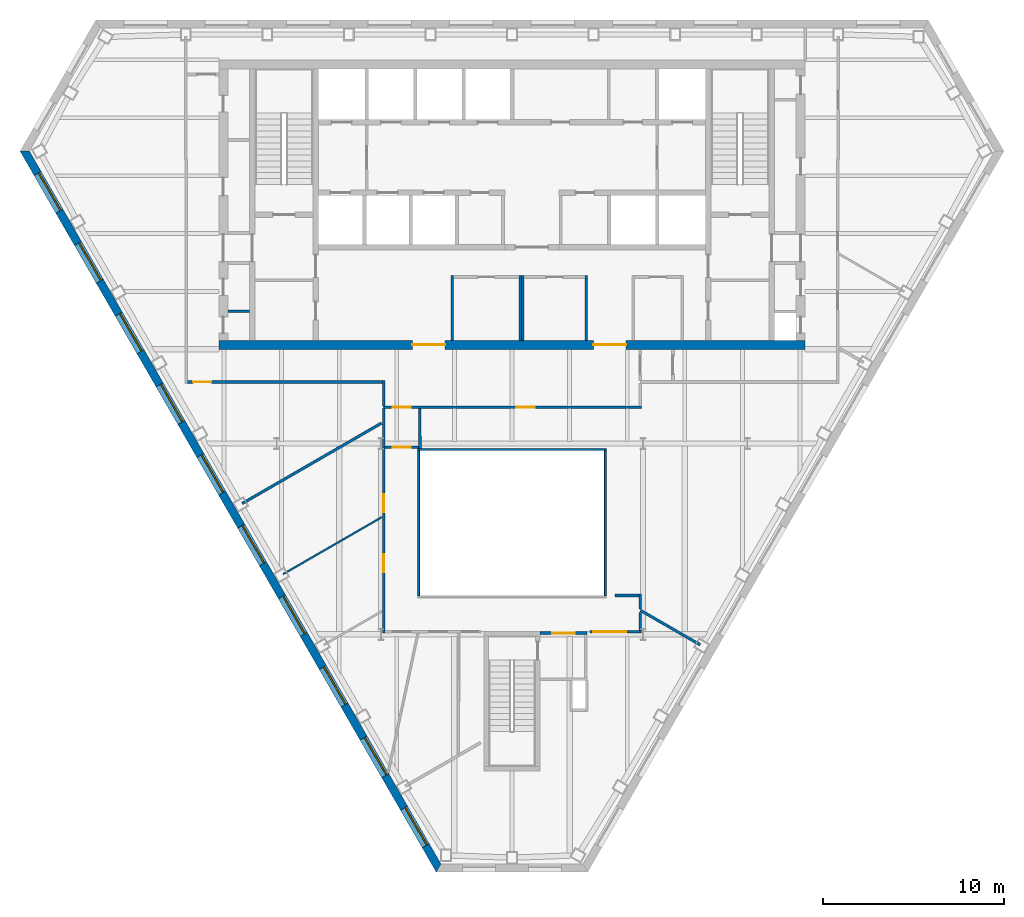
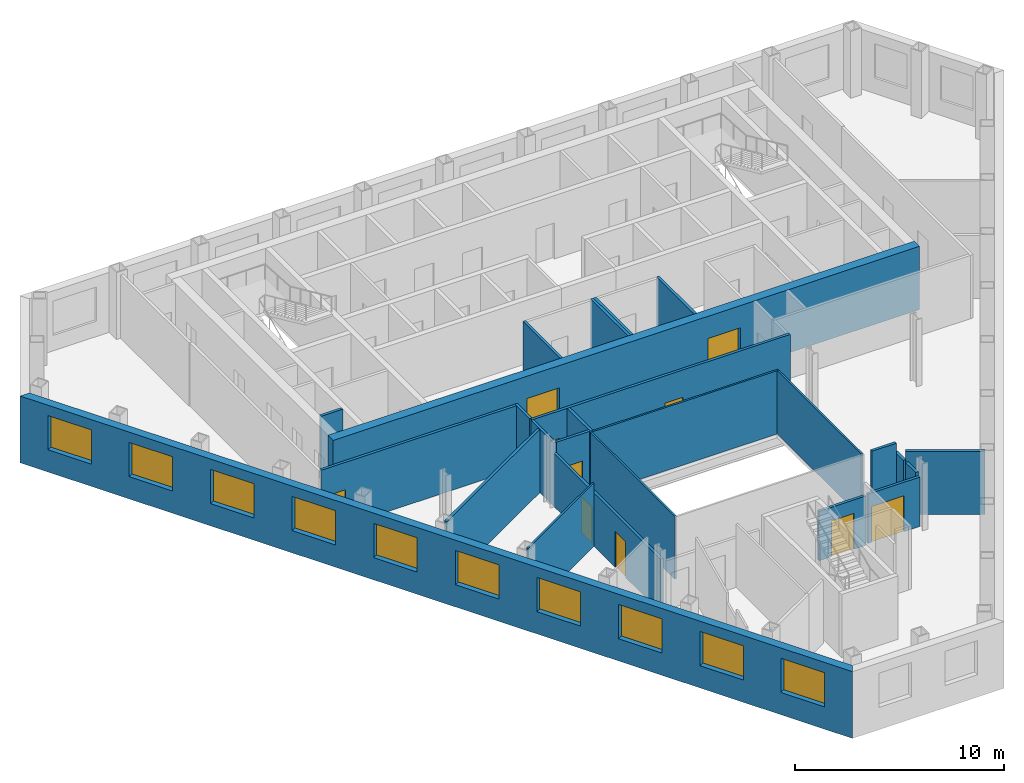
# One storey, part 4 of 10: 25 walls, 10 doors, 10 windows, 20 openings.
"""IFC4 building model written with IfcOpenShell, lengths in metres."""

from ifc_helpers import new_model, si_unit, direction, frame, frame_2d, origin, place, context, subcontext, project, spatial, polyline, rectangle, outline, extrude, material, layer, layer_set, type_object, element, fill, save


model = new_model("IFC4")

# Units and contexts
model_context = context("Model", 3, precision=1e-05, world=origin(), true_north=direction((0.0, 1.0)))
body_context = subcontext(model_context, "Body", "Model", "MODEL_VIEW")
ifc_project = project(units=[si_unit("LENGTHUNIT", "METRE"), si_unit("AREAUNIT", "SQUARE_METRE"), si_unit("VOLUMEUNIT", "CUBIC_METRE"), si_unit("PLANEANGLEUNIT", "RADIAN"), si_unit("MASSUNIT", "GRAM", prefix="KILO")], contexts=[model_context])

# Site, building, storey
site_placement = place(None, origin())
site = spatial("IfcSite", under=ifc_project, at=site_placement, CompositionType="ELEMENT")
building_placement = place(site_placement, origin())
building = spatial("IfcBuilding", under=site, at=building_placement, Name="Njiva Tower", CompositionType="ELEMENT")
storey_placement = place(building_placement, frame((0.0, 0.0, 167.1)))
storey = spatial("IfcBuildingStorey", under=building, at=storey_placement, Name="L36", CompositionType="ELEMENT", Elevation=167.1)

# Walls
ifc_material_1 = material(Name="Blockwork", Category="masonry")
ifc_layer_1 = layer(ifc_material_1, 0.15)
ifc_layer_set_1 = layer_set([ifc_layer_1], Name="Blockwork")
wall_type_1 = type_object("IfcWallType", Name="WT1 Compartment partition 150", PredefinedType="PARTITIONING", material=ifc_layer_set_1)
wall_1_placement = place(storey_placement, frame((-15.7, 4.107, 0.0), z_axis=(0.0, 0.0, 1.0), x_axis=(1.0, 0.0, 0.0)))
element("IfcWall", 1, at=wall_1_placement, inside=storey, type_object=wall_type_1, Name="Partition strip W00", PredefinedType="PARTITIONING", context=body_context, shape_type="SweptSolid", body=[
    extrude(rectangle(XDim=1.2, YDim=0.15, at=frame_2d((0.6, 0.0))), origin(), (0.0, 0.0, 1.0), 3.7),
])
for number, where, z_axis, x_axis, name in (
    (2, (-3.3, 2.5, 0.0), (0.0, 0.0, 1.0), (0.0, 1.0, 0.0), "First aid room wall west"),
    (3, (0.45, 2.5, 0.0), (0.0, 0.0, 1.0), (0.0, 1.0, 0.0), "First aid room wall east"),
    (4, (0.6, 2.5, 0.0), (0.0, 0.0, 1.0), (0.0, 1.0, 0.0), "Parcel room wall west"),
    (5, (4.1, 2.5, 0.0), (0.0, 0.0, 1.0), (0.0, 1.0, 0.0), "Parcel room wall east"),
):
    element("IfcWall", number, at=place(storey_placement, frame(where, z_axis=z_axis, x_axis=x_axis)), inside=storey, type_object=wall_type_1, Name=name, PredefinedType="PARTITIONING", context=body_context, shape_type="SweptSolid", body=[
        extrude(rectangle(XDim=3.575, YDim=0.15, at=frame_2d((1.7875, 0.0))), origin(), (0.0, 0.0, 1.0), 3.7),
    ])

# Wall, openings, doors
ifc_material_2 = material(Name="Concrete C60/75", Category="concrete")
ifc_layer_2 = layer(ifc_material_2, 0.5)
ifc_layer_set_2 = layer_set([ifc_layer_2], Name="Concrete C60/75")
wall_type_2 = type_object("IfcWallType", Name="WT13 Core wall 500", PredefinedType="SHEAR", material=ifc_layer_set_2)
wall_2_placement = place(storey_placement, frame((-16.2, 2.25, 0.0), z_axis=(0.0, 0.0, 1.0), x_axis=(1.0, 0.0, 0.0)))
wall_2 = element("IfcWall", 6, at=wall_2_placement, inside=storey, type_object=wall_type_2, Name="Core wall south", PredefinedType="SHEAR", context=body_context, shape_type="SweptSolid", body=[
    extrude(rectangle(XDim=32.4, YDim=0.5, at=frame_2d((16.2, 0.0))), origin(), (0.0, 0.0, 1.0), 3.7),
])
opening_1_placement = place(wall_2_placement, frame((10.7, 0.0, 0.0)))
opening_1 = element("IfcOpeningElement", 7, at=opening_1_placement, cuts=wall_2, Name="Opening S12-D937", PredefinedType="OPENING", context=body_context, shape_type="SweptSolid", body=[
    extrude(rectangle(XDim=1.8, YDim=2.4, at=frame_2d((0.9, 1.2))), frame((0.0, 0.26, 0.0), z_axis=(0.0, -1.0, 0.0), x_axis=(1.0, 0.0, 0.0)), (0.0, 0.0, 1.0), 0.52),
])
opening_2_placement = place(wall_2_placement, frame((20.7, 0.0, 0.0)))
opening_2 = element("IfcOpeningElement", 8, at=opening_2_placement, cuts=wall_2, Name="Opening S12-D938", PredefinedType="OPENING", context=body_context, shape_type="SweptSolid", body=[
    extrude(rectangle(XDim=1.8, YDim=2.4, at=frame_2d((0.9, 1.2))), frame((0.0, 0.26, 0.0), z_axis=(0.0, -1.0, 0.0), x_axis=(1.0, 0.0, 0.0)), (0.0, 0.0, 1.0), 0.52),
])
ifc_material_3 = material(Name="Steel and glass door", Category="steel")
door_type_1 = type_object("IfcDoorType", Name="D3 Core entrance door 1800x2400", OperationType="DOUBLE_DOOR_SINGLE_SWING", PredefinedType="DOOR", material=ifc_material_3)
door_1_placement = place(opening_1_placement, origin())
door_1 = element("IfcDoor", 9, at=door_1_placement, inside=storey, type_object=door_type_1, Name="Core entrance door", OperationType="DOUBLE_DOOR_SINGLE_SWING", OverallHeight=2.4, OverallWidth=1.8, PredefinedType="DOOR", context=body_context, shape_type="SweptSolid", body=[
    extrude(rectangle(XDim=1.8, YDim=2.4, at=frame_2d((0.9, 1.2))), frame((0.0, 0.025, 0.0), z_axis=(0.0, -1.0, 0.0), x_axis=(1.0, 0.0, 0.0)), (0.0, 0.0, 1.0), 0.05),
])
fill(opening_1, door_1)
door_2_placement = place(opening_2_placement, origin())
door_2 = element("IfcDoor", 10, at=door_2_placement, inside=storey, type_object=door_type_1, Name="Core entrance door", OperationType="DOUBLE_DOOR_SINGLE_SWING", OverallHeight=2.4, OverallWidth=1.8, PredefinedType="DOOR", context=body_context, shape_type="SweptSolid", body=[
    extrude(rectangle(XDim=1.8, YDim=2.4, at=frame_2d((0.9, 1.2))), frame((0.0, 0.025, 0.0), z_axis=(0.0, -1.0, 0.0), x_axis=(1.0, 0.0, 0.0)), (0.0, 0.0, 1.0), 0.05),
])
fill(opening_2, door_2)

# Wall
ifc_material_4 = material(Name="Gypsum board on steel studs", Category="gypsum")
ifc_layer_3 = layer(ifc_material_4, 0.1)
ifc_layer_set_3 = layer_set([ifc_layer_3], Name="Gypsum board on steel studs")
wall_type_3 = type_object("IfcWallType", Name="WT20 Gypsum partition 100", PredefinedType="PARTITIONING", material=ifc_layer_set_3)
wall_3_placement = place(storey_placement, frame((-12.652, -10.421, 0.0), z_axis=(0.0, 0.0, 1.0), x_axis=(0.866058850386, 0.499942064311, 0.0)))
element("IfcWall", 11, at=wall_3_placement, inside=storey, type_object=wall_type_3, Name="Partition S12-P006", PredefinedType="PARTITIONING", context=body_context, shape_type="SweptSolid", body=[
    extrude(rectangle(XDim=6.3067, YDim=0.1, at=frame_2d((3.1534, 0.0))), origin(), (0.0, 0.0, 1.0), 3.7),
])

# Wall, opening, door
ifc_layer_4 = layer(ifc_material_4, 0.15)
ifc_layer_set_4 = layer_set([ifc_layer_4], Name="Gypsum board on steel studs")
wall_type_4 = type_object("IfcWallType", Name="WT21 Compartment wall 150", PredefinedType="PARTITIONING", material=ifc_layer_set_4)
wall_4_placement = place(storey_placement, frame((-17.925, 0.2, 0.0), z_axis=(0.0, 0.0, 1.0), x_axis=(1.0, 0.0, 0.0)))
wall_4 = element("IfcWall", 12, at=wall_4_placement, inside=storey, type_object=wall_type_4, Name="Partition S12-P004", PredefinedType="PARTITIONING", context=body_context, shape_type="SweptSolid", body=[
    extrude(rectangle(XDim=10.759, YDim=0.15, at=frame_2d((5.3795, 0.0))), origin(), (0.0, 0.0, 1.0), 3.7),
])
opening_3_placement = place(wall_4_placement, frame((0.312, 0.0, 0.0)))
opening_3 = element("IfcOpeningElement", 13, at=opening_3_placement, cuts=wall_4, Name="Opening S12-D002", PredefinedType="OPENING", context=body_context, shape_type="SweptSolid", body=[
    extrude(rectangle(XDim=1.0, YDim=2.1, at=frame_2d((0.5, 1.05))), frame((0.0, 0.085, 0.0), z_axis=(0.0, -1.0, 0.0), x_axis=(1.0, 0.0, 0.0)), (0.0, 0.0, 1.0), 0.17),
])
ifc_material_5 = material(Name="Steel fire door set", Category="steel")
door_type_2 = type_object("IfcDoorType", Name="D37 Fire door 1000x2100", OperationType="SINGLE_SWING_LEFT", PredefinedType="DOOR", material=ifc_material_5)
door_3_placement = place(opening_3_placement, origin())
door_3 = element("IfcDoor", 14, at=door_3_placement, inside=storey, type_object=door_type_2, Name="Door S12-D002", OperationType="SINGLE_SWING_LEFT", OverallHeight=2.1, OverallWidth=1.0, PredefinedType="DOOR", context=body_context, shape_type="SweptSolid", body=[
    extrude(rectangle(XDim=1.0, YDim=2.1, at=frame_2d((0.5, 1.05))), frame((0.0, 0.025, 0.0), z_axis=(0.0, -1.0, 0.0), x_axis=(1.0, 0.0, 0.0)), (0.0, 0.0, 1.0), 0.05),
])
fill(opening_3, door_3)

# Walls
wall_5_placement = place(storey_placement, frame((-14.906, -6.516, 0.0), z_axis=(0.0, 0.0, 1.0), x_axis=(0.866138783521, 0.499803569096, 0.0)))
element("IfcWall", 15, at=wall_5_placement, inside=storey, type_object=wall_type_4, Name="Partition S12-P005", PredefinedType="PARTITIONING", context=body_context, shape_type="SweptSolid", body=[
    extrude(rectangle(XDim=8.8935, YDim=0.15, at=frame_2d((4.4468, 0.0))), origin(), (0.0, 0.0, 1.0), 3.7),
])
wall_6_placement = place(storey_placement, frame((-7.091, -1.125, 0.0), z_axis=(0.0, 0.0, 1.0), x_axis=(0.0, 1.0, 0.0)))
element("IfcWall", 16, at=wall_6_placement, inside=storey, type_object=wall_type_4, Name="Partition S12-P008", PredefinedType="PARTITIONING", context=body_context, shape_type="SweptSolid", body=[
    extrude(rectangle(XDim=1.4, YDim=0.15, at=frame_2d((0.7, 0.0))), origin(), (0.0, 0.0, 1.0), 3.7),
])

# Wall, openings, doors
wall_7_placement = place(storey_placement, frame((-7.09, -1.2, 0.0), z_axis=(0.0, 0.0, 1.0), x_axis=(1.0, 0.0, 0.0)))
wall_7 = element("IfcWall", 17, at=wall_7_placement, inside=storey, type_object=wall_type_4, Name="Partition S12-P009", PredefinedType="PARTITIONING", context=body_context, shape_type="SweptSolid", body=[
    extrude(rectangle(XDim=14.255, YDim=0.15, at=frame_2d((7.1275, 0.0))), origin(), (0.0, 0.0, 1.0), 3.7),
])
opening_4_placement = place(wall_7_placement, frame((0.5, 0.0, 0.0)))
opening_4 = element("IfcOpeningElement", 18, at=opening_4_placement, cuts=wall_7, Name="Opening S12-D003", PredefinedType="OPENING", context=body_context, shape_type="SweptSolid", body=[
    extrude(rectangle(XDim=1.0, YDim=2.1, at=frame_2d((0.5, 1.05))), frame((0.0, 0.085, 0.0), z_axis=(0.0, -1.0, 0.0), x_axis=(1.0, 0.0, 0.0)), (0.0, 0.0, 1.0), 0.17),
])
opening_5_placement = place(wall_7_placement, frame((7.338, 0.0, 0.0)))
opening_5 = element("IfcOpeningElement", 19, at=opening_5_placement, cuts=wall_7, Name="Opening S12-D004", PredefinedType="OPENING", context=body_context, shape_type="SweptSolid", body=[
    extrude(rectangle(XDim=1.0, YDim=2.1, at=frame_2d((0.5, 1.05))), frame((0.0, 0.085, 0.0), z_axis=(0.0, -1.0, 0.0), x_axis=(1.0, 0.0, 0.0)), (0.0, 0.0, 1.0), 0.17),
])
door_4_placement = place(opening_4_placement, origin())
door_4 = element("IfcDoor", 20, at=door_4_placement, inside=storey, type_object=door_type_2, Name="Door S12-D003", OperationType="SINGLE_SWING_RIGHT", OverallHeight=2.1, OverallWidth=1.0, PredefinedType="DOOR", context=body_context, shape_type="SweptSolid", body=[
    extrude(rectangle(XDim=1.0, YDim=2.1, at=frame_2d((0.5, 1.05))), frame((0.0, 0.025, 0.0), z_axis=(0.0, -1.0, 0.0), x_axis=(1.0, 0.0, 0.0)), (0.0, 0.0, 1.0), 0.05),
])
fill(opening_4, door_4)
door_5_placement = place(opening_5_placement, origin())
door_5 = element("IfcDoor", 21, at=door_5_placement, inside=storey, type_object=door_type_2, Name="Door S12-D004", OperationType="SINGLE_SWING_RIGHT", OverallHeight=2.1, OverallWidth=1.0, PredefinedType="DOOR", context=body_context, shape_type="SweptSolid", body=[
    extrude(rectangle(XDim=1.0, YDim=2.1, at=frame_2d((0.5, 1.05))), frame((0.0, 0.025, 0.0), z_axis=(0.0, -1.0, 0.0), x_axis=(1.0, 0.0, 0.0)), (0.0, 0.0, 1.0), 0.05),
])
fill(opening_5, door_5)

wall_8_placement = place(storey_placement, frame((-7.09, -13.675, 0.0), z_axis=(0.0, 0.0, 1.0), x_axis=(-7.8316201e-05, 0.999999996933, 0.0)))
wall_8 = element("IfcWall", 22, at=wall_8_placement, inside=storey, type_object=wall_type_4, Name="Partition S12-P010", PredefinedType="PARTITIONING", context=body_context, shape_type="SweptSolid", body=[
    extrude(rectangle(XDim=10.215, YDim=0.15, at=frame_2d((5.1075, 0.0))), origin(), (0.0, 0.0, 1.0), 3.11),
])
opening_6_placement = place(wall_8_placement, frame((3.362, 0.0, 0.0)))
opening_6 = element("IfcOpeningElement", 23, at=opening_6_placement, cuts=wall_8, Name="Opening S12-D005", PredefinedType="OPENING", context=body_context, shape_type="SweptSolid", body=[
    extrude(rectangle(XDim=1.0, YDim=2.1, at=frame_2d((0.5, 1.05))), frame((0.0, 0.085, 0.0), z_axis=(0.0, -1.0, 0.0), x_axis=(1.0, 0.0, 0.0)), (0.0, 0.0, 1.0), 0.17),
])
opening_7_placement = place(wall_8_placement, frame((6.665, 0.0, 0.0)))
opening_7 = element("IfcOpeningElement", 24, at=opening_7_placement, cuts=wall_8, Name="Opening S12-D006", PredefinedType="OPENING", context=body_context, shape_type="SweptSolid", body=[
    extrude(rectangle(XDim=1.0, YDim=2.1, at=frame_2d((0.5, 1.05))), frame((0.0, 0.085, 0.0), z_axis=(0.0, -1.0, 0.0), x_axis=(1.0, 0.0, 0.0)), (0.0, 0.0, 1.0), 0.17),
])
door_6_placement = place(opening_6_placement, origin())
door_6 = element("IfcDoor", 25, at=door_6_placement, inside=storey, type_object=door_type_2, Name="Door S12-D005", OperationType="SINGLE_SWING_RIGHT", OverallHeight=2.1, OverallWidth=1.0, PredefinedType="DOOR", context=body_context, shape_type="SweptSolid", body=[
    extrude(rectangle(XDim=1.0, YDim=2.1, at=frame_2d((0.5, 1.05))), frame((0.0, 0.025, 0.0), z_axis=(0.0, -1.0, 0.0), x_axis=(1.0, 0.0, 0.0)), (0.0, 0.0, 1.0), 0.05),
])
fill(opening_6, door_6)
door_7_placement = place(opening_7_placement, origin())
door_7 = element("IfcDoor", 26, at=door_7_placement, inside=storey, type_object=door_type_2, Name="Door S12-D006", OperationType="SINGLE_SWING_LEFT", OverallHeight=2.1, OverallWidth=1.0, PredefinedType="DOOR", context=body_context, shape_type="SweptSolid", body=[
    extrude(rectangle(XDim=1.0, YDim=2.1, at=frame_2d((0.5, 1.05))), frame((0.0, 0.025, 0.0), z_axis=(0.0, -1.0, 0.0), x_axis=(1.0, 0.0, 0.0)), (0.0, 0.0, 1.0), 0.05),
])
fill(opening_7, door_7)

# Wall
wall_9_placement = place(storey_placement, frame((-7.0908, -3.46, 0.0), z_axis=(0.0, 0.0, 1.0), x_axis=(-9.153318e-05, 0.999999995811, 0.0)))
element("IfcWall", 27, at=wall_9_placement, inside=storey, type_object=wall_type_4, Name="Partition S12-P010A", PredefinedType="PARTITIONING", context=body_context, shape_type="SweptSolid", body=[
    extrude(rectangle(XDim=2.185, YDim=0.15, at=frame_2d((1.0925, 0.0))), origin(), (0.0, 0.0, 1.0), 3.7),
])

# Wall, opening, door
wall_10_placement = place(storey_placement, frame((-7.016, -3.4, 0.0), z_axis=(0.0, 0.0, 1.0), x_axis=(1.0, 0.0, 0.0)))
wall_10 = element("IfcWall", 28, at=wall_10_placement, inside=storey, type_object=wall_type_4, Name="Partition S12-P011", PredefinedType="PARTITIONING", context=body_context, shape_type="SweptSolid", body=[
    extrude(rectangle(XDim=1.852, YDim=0.15, at=frame_2d((0.926, 0.0))), origin(), (0.0, 0.0, 1.0), 3.7),
])
opening_8_placement = place(wall_10_placement, frame((0.426, 0.0, 0.0)))
opening_8 = element("IfcOpeningElement", 29, at=opening_8_placement, cuts=wall_10, Name="Opening S12-D007", PredefinedType="OPENING", context=body_context, shape_type="SweptSolid", body=[
    extrude(rectangle(XDim=1.0, YDim=2.1, at=frame_2d((0.5, 1.05))), frame((0.0, 0.085, 0.0), z_axis=(0.0, -1.0, 0.0), x_axis=(1.0, 0.0, 0.0)), (0.0, 0.0, 1.0), 0.17),
])
door_8_placement = place(opening_8_placement, origin())
door_8 = element("IfcDoor", 30, at=door_8_placement, inside=storey, type_object=door_type_2, Name="Door S12-D007", OperationType="SINGLE_SWING_RIGHT", OverallHeight=2.1, OverallWidth=1.0, PredefinedType="DOOR", context=body_context, shape_type="SweptSolid", body=[
    extrude(rectangle(XDim=1.0, YDim=2.1, at=frame_2d((0.5, 1.05))), frame((0.0, 0.025, 0.0), z_axis=(0.0, -1.0, 0.0), x_axis=(1.0, 0.0, 0.0)), (0.0, 0.0, 1.0), 0.05),
])
fill(opening_8, door_8)

# Wall
wall_11_placement = place(storey_placement, frame((-5.089, -3.48, 0.0), z_axis=(0.0, 0.0, 1.0), x_axis=(-0.000453514693, 0.999999897162, 0.0)))
element("IfcWall", 31, at=wall_11_placement, inside=storey, type_object=wall_type_4, Name="Partition S12-P015", PredefinedType="PARTITIONING", context=body_context, shape_type="SweptSolid", body=[
    extrude(rectangle(XDim=2.205, YDim=0.15, at=frame_2d((1.1025, 0.0))), origin(), (0.0, 0.0, 1.0), 3.7),
])

# Wall, opening, door
wall_12_placement = place(storey_placement, frame((4.3, -13.6, 0.0), z_axis=(0.0, 0.0, 1.0), x_axis=(1.0, 0.0, 0.0)))
wall_12 = element("IfcWall", 32, at=wall_12_placement, inside=storey, type_object=wall_type_4, Name="Partition S12-P018", PredefinedType="PARTITIONING", context=body_context, shape_type="SweptSolid", body=[
    extrude(rectangle(XDim=2.865, YDim=0.15, at=frame_2d((1.4325, 0.0))), origin(), (0.0, 0.0, 1.0), 2.886),
])
opening_9_placement = place(wall_12_placement, frame((0.2, 0.0, 0.0)))
opening_9 = element("IfcOpeningElement", 33, at=opening_9_placement, cuts=wall_12, Name="Opening S12-D011", PredefinedType="OPENING", context=body_context, shape_type="SweptSolid", body=[
    extrude(rectangle(XDim=1.8, YDim=2.1, at=frame_2d((0.9, 1.05))), frame((0.0, 0.085, 0.0), z_axis=(0.0, -1.0, 0.0), x_axis=(1.0, 0.0, 0.0)), (0.0, 0.0, 1.0), 0.17),
])
door_type_3 = type_object("IfcDoorType", Name="D38 Fire door 1800x2100", OperationType="DOUBLE_DOOR_SINGLE_SWING", PredefinedType="DOOR", material=ifc_material_5)
door_9_placement = place(opening_9_placement, origin())
door_9 = element("IfcDoor", 34, at=door_9_placement, inside=storey, type_object=door_type_3, Name="Door S12-D011", OperationType="DOUBLE_DOOR_SINGLE_SWING", OverallHeight=2.1, OverallWidth=1.8, PredefinedType="DOOR", context=body_context, shape_type="SweptSolid", body=[
    extrude(rectangle(XDim=1.8, YDim=2.1, at=frame_2d((0.9, 1.05))), frame((0.0, 0.025, 0.0), z_axis=(0.0, -1.0, 0.0), x_axis=(1.0, 0.0, 0.0)), (0.0, 0.0, 1.0), 0.05),
])
fill(opening_9, door_9)

# Walls
wall_13_placement = place(storey_placement, frame((5.679, -11.6, 0.0), z_axis=(0.0, 0.0, 1.0), x_axis=(1.0, 0.0, 0.0)))
element("IfcWall", 35, at=wall_13_placement, inside=storey, type_object=wall_type_4, Name="Partition S12-P019", PredefinedType="PARTITIONING", context=body_context, shape_type="SweptSolid", body=[
    extrude(rectangle(XDim=1.336, YDim=0.15, at=frame_2d((0.668, 0.0))), origin(), (0.0, 0.0, 1.0), 3.7),
])
wall_14_placement = place(storey_placement, frame((7.09, -13.525, 0.0), z_axis=(0.0, 0.0, 1.0), x_axis=(0.0, 1.0, 0.0)))
element("IfcWall", 36, at=wall_14_placement, inside=storey, type_object=wall_type_4, Name="Partition S12-P020", PredefinedType="PARTITIONING", context=body_context, shape_type="SweptSolid", body=[
    extrude(rectangle(XDim=0.98, YDim=0.15, at=frame_2d((0.49, 0.0))), origin(), (0.0, 0.0, 1.0), 3.11),
])
wall_15_placement = place(storey_placement, frame((7.09, -12.351, 0.0), z_axis=(0.0, 0.0, 1.0), x_axis=(0.0, 1.0, 0.0)))
element("IfcWall", 37, at=wall_15_placement, inside=storey, type_object=wall_type_4, Name="Partition S12-P021", PredefinedType="PARTITIONING", context=body_context, shape_type="SweptSolid", body=[
    extrude(rectangle(XDim=0.826, YDim=0.15, at=frame_2d((0.413, 0.0))), origin(), (0.0, 0.0, 1.0), 3.11),
])
wall_16_placement = place(storey_placement, frame((7.092, -12.416, 0.0), z_axis=(0.0, 0.0, 1.0), x_axis=(0.866107068482, -0.499858525911, 0.0)))
element("IfcWall", 38, at=wall_16_placement, inside=storey, type_object=wall_type_4, Name="Partition S12-P025", PredefinedType="PARTITIONING", context=body_context, shape_type="SweptSolid", body=[
    extrude(rectangle(XDim=3.8171, YDim=0.15, at=frame_2d((1.9086, 0.0))), origin(), (0.0, 0.0, 1.0), 3.7),
])

# Wall, opening, door
ifc_layer_5 = layer(ifc_material_1, 0.15)
ifc_layer_set_5 = layer_set([ifc_layer_5], Name="Blockwork")
wall_type_5 = type_object("IfcWallType", Name="WT4 Stair partition 150", PredefinedType="PARTITIONING", material=ifc_layer_set_5)
wall_17_placement = place(storey_placement, frame((1.55, -13.675, 0.0), z_axis=(0.0, 0.0, 1.0), x_axis=(1.0, 0.0, 0.0)))
wall_17 = element("IfcWall", 39, at=wall_17_placement, inside=storey, type_object=wall_type_5, Name="Stair C vestibule wall north", PredefinedType="PARTITIONING", context=body_context, shape_type="SweptSolid", body=[
    extrude(rectangle(XDim=2.6, YDim=0.15, at=frame_2d((1.3, 0.0))), origin(), (0.0, 0.0, 1.0), 2.886),
])
opening_10_placement = place(wall_17_placement, frame((0.675, 0.0, 0.0)))
opening_10 = element("IfcOpeningElement", 40, at=opening_10_placement, cuts=wall_17, Name="Opening S12-D940", PredefinedType="OPENING", context=body_context, shape_type="SweptSolid", body=[
    extrude(rectangle(XDim=1.25, YDim=2.1, at=frame_2d((0.625, 1.05))), frame((0.0, 0.085, 0.0), z_axis=(0.0, -1.0, 0.0), x_axis=(1.0, 0.0, 0.0)), (0.0, 0.0, 1.0), 0.17),
])
ifc_material_6 = material(Name="Glazed steel fire door", Category="steel")
door_type_4 = type_object("IfcDoorType", Name="D8 Vestibule corridor door 1250x2100 glazed", OperationType="SINGLE_SWING_LEFT", PredefinedType="DOOR", material=ifc_material_6)
door_10_placement = place(opening_10_placement, origin())
door_10 = element("IfcDoor", 41, at=door_10_placement, inside=storey, type_object=door_type_4, Name="Stair vestibule corridor door", OperationType="SINGLE_SWING_RIGHT", OverallHeight=2.1, OverallWidth=1.25, PredefinedType="DOOR", context=body_context, shape_type="SweptSolid", body=[
    extrude(rectangle(XDim=1.25, YDim=2.1, at=frame_2d((0.625, 1.05))), frame((0.0, 0.025, 0.0), z_axis=(0.0, -1.0, 0.0), x_axis=(1.0, 0.0, 0.0)), (0.0, 0.0, 1.0), 0.05),
])
fill(opening_10, door_10)

# Wall, openings, windows
ifc_material_7 = material(Name="Brick masonry", Category="masonry")
ifc_layer_6 = layer(ifc_material_7, 0.45)
ifc_layer_set_6 = layer_set([ifc_layer_6], Name="Brick masonry")
wall_type_6 = type_object("IfcWallType", Name="WT90 Brick pier and spandrel wall 450", PredefinedType="SOLIDWALL", material=ifc_layer_set_6)
wall_18_placement = place(storey_placement, frame((-26.9252, 12.9514, -0.4), z_axis=(0.0, 0.0, 1.0), x_axis=(0.499999764979, -0.866025539474, 0.0)))
wall_18 = element("IfcWall", 42, at=wall_18_placement, inside=storey, type_object=wall_type_6, Name="Facade wall SW", PredefinedType="SOLIDWALL", context=body_context, shape_type="SweptSolid", body=[
    extrude(outline(polyline([(-0.1299, -0.225), (45.8701, -0.225), (45.6103, 0.225), (0.1299, 0.225), (-0.1299, -0.225)])), origin(), (0.0, 0.0, 1.0), 3.9),
])
opening_11_placement = place(wall_18_placement, frame((1.4242, 0.0, 1.3)))
opening_11 = element("IfcOpeningElement", 43, at=opening_11_placement, cuts=wall_18, Name="Opening S12-W12", PredefinedType="OPENING", context=body_context, shape_type="SweptSolid", body=[
    extrude(rectangle(XDim=2.4, YDim=2.0, at=frame_2d((1.2, 1.0))), frame((0.0, 0.235, 0.0), z_axis=(0.0, -1.0, 0.0), x_axis=(1.0, 0.0, 0.0)), (0.0, 0.0, 1.0), 0.47),
])
opening_12_placement = place(wall_18_placement, frame((5.8934, 0.0, 1.3)))
opening_12 = element("IfcOpeningElement", 44, at=opening_12_placement, cuts=wall_18, Name="Opening S12-W13", PredefinedType="OPENING", context=body_context, shape_type="SweptSolid", body=[
    extrude(rectangle(XDim=2.4, YDim=2.0, at=frame_2d((1.2, 1.0))), frame((0.0, 0.235, 0.0), z_axis=(0.0, -1.0, 0.0), x_axis=(1.0, 0.0, 0.0)), (0.0, 0.0, 1.0), 0.47),
])
opening_13_placement = place(wall_18_placement, frame((10.401, 0.0, 1.3)))
opening_13 = element("IfcOpeningElement", 45, at=opening_13_placement, cuts=wall_18, Name="Opening S12-W14", PredefinedType="OPENING", context=body_context, shape_type="SweptSolid", body=[
    extrude(rectangle(XDim=2.4, YDim=2.0, at=frame_2d((1.2, 1.0))), frame((0.0, 0.235, 0.0), z_axis=(0.0, -1.0, 0.0), x_axis=(1.0, 0.0, 0.0)), (0.0, 0.0, 1.0), 0.47),
])
opening_14_placement = place(wall_18_placement, frame((14.9087, 0.0, 1.3)))
opening_14 = element("IfcOpeningElement", 46, at=opening_14_placement, cuts=wall_18, Name="Opening S12-W15", PredefinedType="OPENING", context=body_context, shape_type="SweptSolid", body=[
    extrude(rectangle(XDim=2.4, YDim=2.0, at=frame_2d((1.2, 1.0))), frame((0.0, 0.235, 0.0), z_axis=(0.0, -1.0, 0.0), x_axis=(1.0, 0.0, 0.0)), (0.0, 0.0, 1.0), 0.47),
])
opening_15_placement = place(wall_18_placement, frame((19.4163, 0.0, 1.3)))
opening_15 = element("IfcOpeningElement", 47, at=opening_15_placement, cuts=wall_18, Name="Opening S12-W16", PredefinedType="OPENING", context=body_context, shape_type="SweptSolid", body=[
    extrude(rectangle(XDim=2.4, YDim=2.0, at=frame_2d((1.2, 1.0))), frame((0.0, 0.235, 0.0), z_axis=(0.0, -1.0, 0.0), x_axis=(1.0, 0.0, 0.0)), (0.0, 0.0, 1.0), 0.47),
])
opening_16_placement = place(wall_18_placement, frame((23.9239, 0.0, 1.3)))
opening_16 = element("IfcOpeningElement", 48, at=opening_16_placement, cuts=wall_18, Name="Opening S12-W17", PredefinedType="OPENING", context=body_context, shape_type="SweptSolid", body=[
    extrude(rectangle(XDim=2.4, YDim=2.0, at=frame_2d((1.2, 1.0))), frame((0.0, 0.235, 0.0), z_axis=(0.0, -1.0, 0.0), x_axis=(1.0, 0.0, 0.0)), (0.0, 0.0, 1.0), 0.47),
])
opening_17_placement = place(wall_18_placement, frame((28.4315, 0.0, 1.3)))
opening_17 = element("IfcOpeningElement", 49, at=opening_17_placement, cuts=wall_18, Name="Opening S12-W18", PredefinedType="OPENING", context=body_context, shape_type="SweptSolid", body=[
    extrude(rectangle(XDim=2.4, YDim=2.0, at=frame_2d((1.2, 1.0))), frame((0.0, 0.235, 0.0), z_axis=(0.0, -1.0, 0.0), x_axis=(1.0, 0.0, 0.0)), (0.0, 0.0, 1.0), 0.47),
])
opening_18_placement = place(wall_18_placement, frame((32.9391, 0.0, 1.3)))
opening_18 = element("IfcOpeningElement", 50, at=opening_18_placement, cuts=wall_18, Name="Opening S12-W19", PredefinedType="OPENING", context=body_context, shape_type="SweptSolid", body=[
    extrude(rectangle(XDim=2.4, YDim=2.0, at=frame_2d((1.2, 1.0))), frame((0.0, 0.235, 0.0), z_axis=(0.0, -1.0, 0.0), x_axis=(1.0, 0.0, 0.0)), (0.0, 0.0, 1.0), 0.47),
])
opening_19_placement = place(wall_18_placement, frame((37.4468, 0.0, 1.3)))
opening_19 = element("IfcOpeningElement", 51, at=opening_19_placement, cuts=wall_18, Name="Opening S12-W20", PredefinedType="OPENING", context=body_context, shape_type="SweptSolid", body=[
    extrude(rectangle(XDim=2.4, YDim=2.0, at=frame_2d((1.2, 1.0))), frame((0.0, 0.235, 0.0), z_axis=(0.0, -1.0, 0.0), x_axis=(1.0, 0.0, 0.0)), (0.0, 0.0, 1.0), 0.47),
])
opening_20_placement = place(wall_18_placement, frame((41.916, 0.0, 1.3)))
opening_20 = element("IfcOpeningElement", 52, at=opening_20_placement, cuts=wall_18, Name="Opening S12-W21", PredefinedType="OPENING", context=body_context, shape_type="SweptSolid", body=[
    extrude(rectangle(XDim=2.4, YDim=2.0, at=frame_2d((1.2, 1.0))), frame((0.0, 0.235, 0.0), z_axis=(0.0, -1.0, 0.0), x_axis=(1.0, 0.0, 0.0)), (0.0, 0.0, 1.0), 0.47),
])
ifc_material_8 = material(Name="Clear glazing in aluminium frame", Category="aluminium")
window_type = type_object("IfcWindowType", Name="W90 Deep-set window 2400x2000", PartitioningType="SINGLE_PANEL", PredefinedType="WINDOW", material=ifc_material_8)
window_1_placement = place(opening_11_placement, origin())
window_1 = element("IfcWindow", 53, at=window_1_placement, inside=storey, type_object=window_type, Name="Window", OverallHeight=2.0, OverallWidth=2.4, PartitioningType="SINGLE_PANEL", PredefinedType="WINDOW", context=body_context, shape_type="SweptSolid", body=[
    extrude(rectangle(XDim=2.4, YDim=2.0, at=frame_2d((1.2, 1.0))), frame((0.0, 0.105, 0.0), z_axis=(0.0, -1.0, 0.0), x_axis=(1.0, 0.0, 0.0)), (0.0, 0.0, 1.0), 0.06),
])
fill(opening_11, window_1)
window_2_placement = place(opening_12_placement, origin())
window_2 = element("IfcWindow", 54, at=window_2_placement, inside=storey, type_object=window_type, Name="Window", OverallHeight=2.0, OverallWidth=2.4, PartitioningType="SINGLE_PANEL", PredefinedType="WINDOW", context=body_context, shape_type="SweptSolid", body=[
    extrude(rectangle(XDim=2.4, YDim=2.0, at=frame_2d((1.2, 1.0))), frame((0.0, 0.105, 0.0), z_axis=(0.0, -1.0, 0.0), x_axis=(1.0, 0.0, 0.0)), (0.0, 0.0, 1.0), 0.06),
])
fill(opening_12, window_2)
window_3_placement = place(opening_13_placement, origin())
window_3 = element("IfcWindow", 55, at=window_3_placement, inside=storey, type_object=window_type, Name="Window", OverallHeight=2.0, OverallWidth=2.4, PartitioningType="SINGLE_PANEL", PredefinedType="WINDOW", context=body_context, shape_type="SweptSolid", body=[
    extrude(rectangle(XDim=2.4, YDim=2.0, at=frame_2d((1.2, 1.0))), frame((0.0, 0.105, 0.0), z_axis=(0.0, -1.0, 0.0), x_axis=(1.0, 0.0, 0.0)), (0.0, 0.0, 1.0), 0.06),
])
fill(opening_13, window_3)
window_4_placement = place(opening_14_placement, origin())
window_4 = element("IfcWindow", 56, at=window_4_placement, inside=storey, type_object=window_type, Name="Window", OverallHeight=2.0, OverallWidth=2.4, PartitioningType="SINGLE_PANEL", PredefinedType="WINDOW", context=body_context, shape_type="SweptSolid", body=[
    extrude(rectangle(XDim=2.4, YDim=2.0, at=frame_2d((1.2, 1.0))), frame((0.0, 0.105, 0.0), z_axis=(0.0, -1.0, 0.0), x_axis=(1.0, 0.0, 0.0)), (0.0, 0.0, 1.0), 0.06),
])
fill(opening_14, window_4)
window_5_placement = place(opening_15_placement, origin())
window_5 = element("IfcWindow", 57, at=window_5_placement, inside=storey, type_object=window_type, Name="Window", OverallHeight=2.0, OverallWidth=2.4, PartitioningType="SINGLE_PANEL", PredefinedType="WINDOW", context=body_context, shape_type="SweptSolid", body=[
    extrude(rectangle(XDim=2.4, YDim=2.0, at=frame_2d((1.2, 1.0))), frame((0.0, 0.105, 0.0), z_axis=(0.0, -1.0, 0.0), x_axis=(1.0, 0.0, 0.0)), (0.0, 0.0, 1.0), 0.06),
])
fill(opening_15, window_5)
window_6_placement = place(opening_16_placement, origin())
window_6 = element("IfcWindow", 58, at=window_6_placement, inside=storey, type_object=window_type, Name="Window", OverallHeight=2.0, OverallWidth=2.4, PartitioningType="SINGLE_PANEL", PredefinedType="WINDOW", context=body_context, shape_type="SweptSolid", body=[
    extrude(rectangle(XDim=2.4, YDim=2.0, at=frame_2d((1.2, 1.0))), frame((0.0, 0.105, 0.0), z_axis=(0.0, -1.0, 0.0), x_axis=(1.0, 0.0, 0.0)), (0.0, 0.0, 1.0), 0.06),
])
fill(opening_16, window_6)
window_7_placement = place(opening_17_placement, origin())
window_7 = element("IfcWindow", 59, at=window_7_placement, inside=storey, type_object=window_type, Name="Window", OverallHeight=2.0, OverallWidth=2.4, PartitioningType="SINGLE_PANEL", PredefinedType="WINDOW", context=body_context, shape_type="SweptSolid", body=[
    extrude(rectangle(XDim=2.4, YDim=2.0, at=frame_2d((1.2, 1.0))), frame((0.0, 0.105, 0.0), z_axis=(0.0, -1.0, 0.0), x_axis=(1.0, 0.0, 0.0)), (0.0, 0.0, 1.0), 0.06),
])
fill(opening_17, window_7)
window_8_placement = place(opening_18_placement, origin())
window_8 = element("IfcWindow", 60, at=window_8_placement, inside=storey, type_object=window_type, Name="Window", OverallHeight=2.0, OverallWidth=2.4, PartitioningType="SINGLE_PANEL", PredefinedType="WINDOW", context=body_context, shape_type="SweptSolid", body=[
    extrude(rectangle(XDim=2.4, YDim=2.0, at=frame_2d((1.2, 1.0))), frame((0.0, 0.105, 0.0), z_axis=(0.0, -1.0, 0.0), x_axis=(1.0, 0.0, 0.0)), (0.0, 0.0, 1.0), 0.06),
])
fill(opening_18, window_8)
window_9_placement = place(opening_19_placement, origin())
window_9 = element("IfcWindow", 61, at=window_9_placement, inside=storey, type_object=window_type, Name="Window", OverallHeight=2.0, OverallWidth=2.4, PartitioningType="SINGLE_PANEL", PredefinedType="WINDOW", context=body_context, shape_type="SweptSolid", body=[
    extrude(rectangle(XDim=2.4, YDim=2.0, at=frame_2d((1.2, 1.0))), frame((0.0, 0.105, 0.0), z_axis=(0.0, -1.0, 0.0), x_axis=(1.0, 0.0, 0.0)), (0.0, 0.0, 1.0), 0.06),
])
fill(opening_19, window_9)
window_10_placement = place(opening_20_placement, origin())
window_10 = element("IfcWindow", 62, at=window_10_placement, inside=storey, type_object=window_type, Name="Window", OverallHeight=2.0, OverallWidth=2.4, PartitioningType="SINGLE_PANEL", PredefinedType="WINDOW", context=body_context, shape_type="SweptSolid", body=[
    extrude(rectangle(XDim=2.4, YDim=2.0, at=frame_2d((1.2, 1.0))), frame((0.0, 0.105, 0.0), z_axis=(0.0, -1.0, 0.0), x_axis=(1.0, 0.0, 0.0)), (0.0, 0.0, 1.0), 0.06),
])
fill(opening_20, window_10)

# Walls
ifc_material_9 = material(Name="Fire-resisting glazing EI 90", Category="glass")
ifc_layer_7 = layer(ifc_material_9, 0.1)
ifc_layer_set_7 = layer_set([ifc_layer_7], Name="Fire-resisting glazing EI 90")
wall_type_7 = type_object("IfcWallType", Name="WT95 Fire-resisting glazed screen EI 90", PredefinedType="PARTITIONING", material=ifc_layer_set_7)
wall_19_placement = place(storey_placement, frame((5.16, -11.62, 0.0), z_axis=(0.0, 0.0, 1.0), x_axis=(0.0, 1.0, 0.0)))
element("IfcWall", 63, at=wall_19_placement, inside=storey, type_object=wall_type_7, Name="Atrium fire screen east", PredefinedType="PARTITIONING", context=body_context, shape_type="SweptSolid", body=[
    extrude(rectangle(XDim=8.04, YDim=0.1, at=frame_2d((4.02, 0.0))), origin(), (0.0, 0.0, 1.0), 3.7),
])
wall_20_placement = place(storey_placement, frame((5.21, -3.53, 0.0), z_axis=(0.0, 0.0, 1.0), x_axis=(-1.0, 0.0, 0.0)))
element("IfcWall", 64, at=wall_20_placement, inside=storey, type_object=wall_type_7, Name="Atrium fire screen north", PredefinedType="PARTITIONING", context=body_context, shape_type="SweptSolid", body=[
    extrude(rectangle(XDim=10.42, YDim=0.1, at=frame_2d((5.21, 0.0))), origin(), (0.0, 0.0, 1.0), 3.7),
])
wall_21_placement = place(storey_placement, frame((-5.16, -3.58, 0.0), z_axis=(0.0, 0.0, 1.0), x_axis=(0.0, -1.0, 0.0)))
element("IfcWall", 65, at=wall_21_placement, inside=storey, type_object=wall_type_7, Name="Atrium fire screen west", PredefinedType="PARTITIONING", context=body_context, shape_type="SweptSolid", body=[
    extrude(rectangle(XDim=8.04, YDim=0.1, at=frame_2d((4.02, 0.0))), origin(), (0.0, 0.0, 1.0), 3.7),
])

save(model, "model.ifc")
